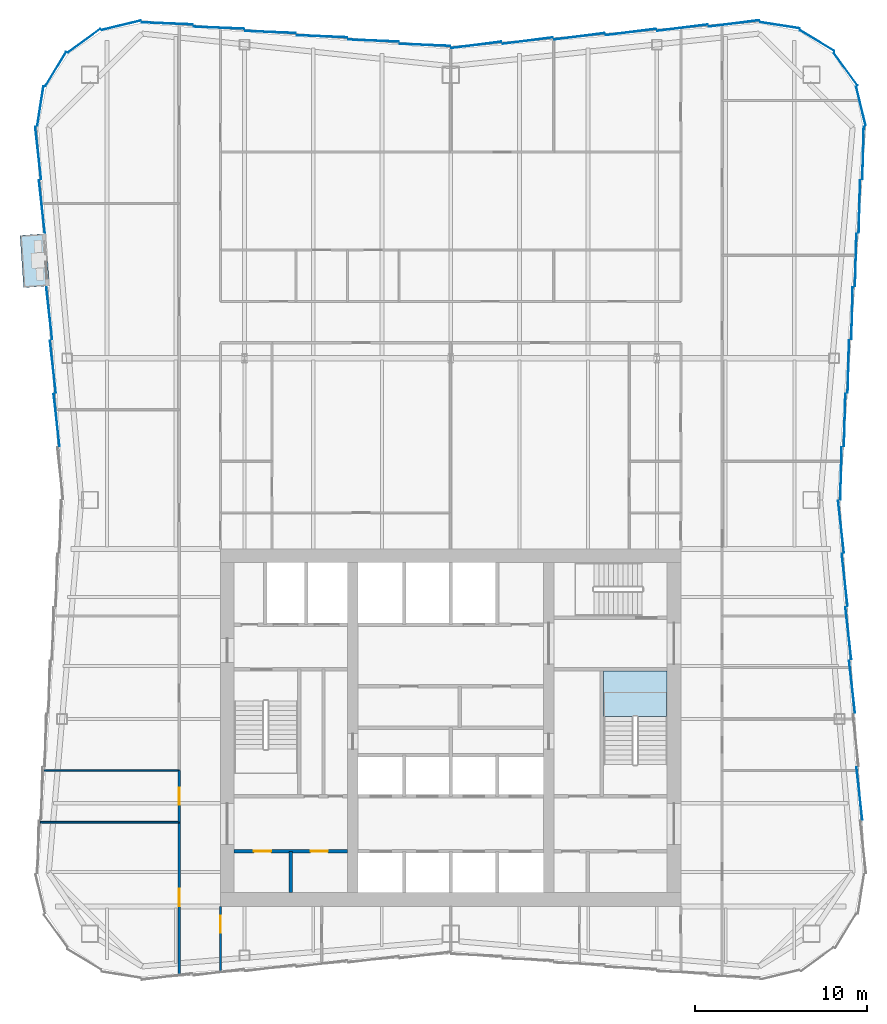
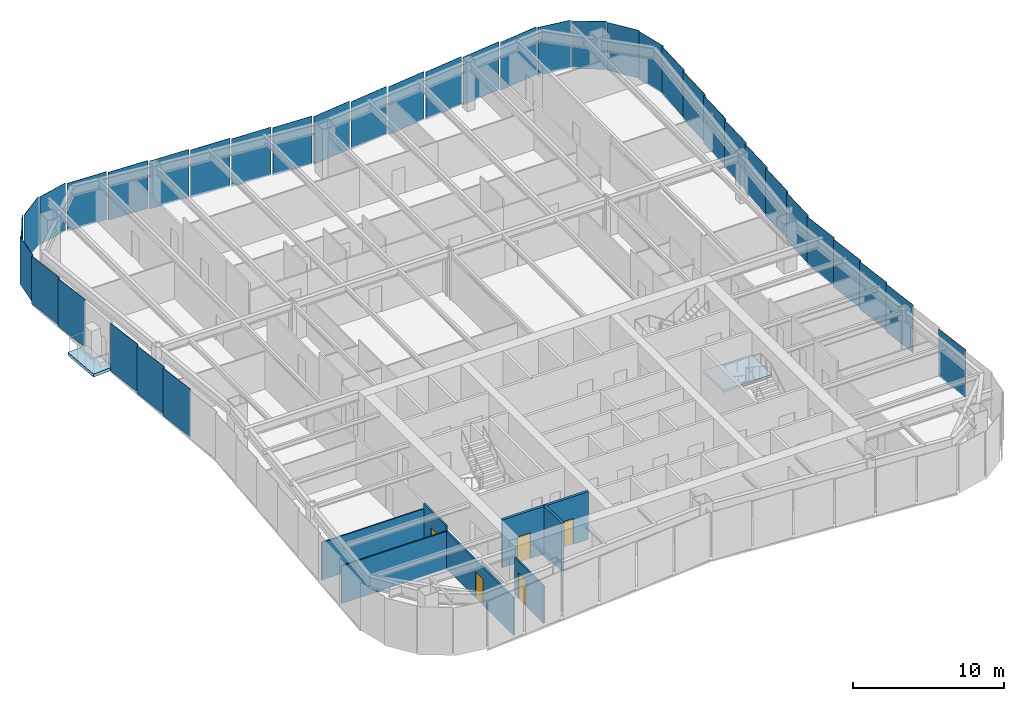
# One storey, part 5 of 12: 37 plates, 7 walls, 5 doors, 2 slabs, 5 openings, 6 elements without a shape of their own.
"""IFC4 building model written with IfcOpenShell, lengths in metres."""

from ifc_helpers import new_model, si_unit, direction, frame, frame_2d, origin, origin_2d, place, context, subcontext, project, spatial, polyline, rectangle, outline, extrude, material, layer, layer_set, type_object, element, fill, aggregate, save


model = new_model("IFC4")

# Units and contexts
model_context = context("Model", 3, precision=1e-05, world=origin(), true_north=direction((0.0, 1.0)))
body_context = subcontext(model_context, "Body", "Model", "MODEL_VIEW")
ifc_project = project(units=[si_unit("LENGTHUNIT", "METRE"), si_unit("AREAUNIT", "SQUARE_METRE"), si_unit("VOLUMEUNIT", "CUBIC_METRE"), si_unit("PLANEANGLEUNIT", "RADIAN"), si_unit("MASSUNIT", "GRAM", prefix="KILO")], contexts=[model_context])

# Site, building, storey
site_placement = place(None, origin())
site = spatial("IfcSite", under=ifc_project, at=site_placement, CompositionType="ELEMENT")
building_placement = place(site_placement, origin())
building = spatial("IfcBuilding", under=site, at=building_placement, Name="Verdant Reach Tower", CompositionType="ELEMENT")
storey_placement = place(building_placement, frame((0.0, 0.0, 246.0)))
storey = spatial("IfcBuildingStorey", under=building, at=storey_placement, Name="L56", CompositionType="ELEMENT", Elevation=246.0)

# Stair, slab
ifc_material_1 = material(Name="Concrete C40/50", Category="concrete")
stair_type = type_object("IfcStairType", Name="CO-STAIR", PredefinedType="HALF_TURN_STAIR", material=ifc_material_1)
stair_placement = place(storey_placement, origin())
stair = element("IfcStair", 1, at=stair_placement, inside=storey, type_object=stair_type, Name="L56 Exit stair 2", PredefinedType="HALF_TURN_STAIR")
ifc_layer_1 = layer(ifc_material_1, 0.199951171875)
ifc_layer_set_1 = layer_set([ifc_layer_1], Name="CO-STAIR-LANDING")
slab_type_1 = type_object("IfcSlabType", Name="CO-STAIR-LANDING", PredefinedType="LANDING", material=ifc_layer_set_1)
slab_1_placement = place(storey_placement, frame((0.0, 0.0, 1.800048828125)))
slab_1 = element("IfcSlab", 2, at=slab_1_placement, type_object=slab_type_1, Name="ST-2 landing 1", PredefinedType="LANDING", context=body_context, shape_type="SweptSolid", body=[
    extrude(outline(polyline([(12.60009765625, 28.64990234375), (12.60009765625, 31.300048828125), (8.89990234375, 31.300048828125), (8.89990234375, 28.64990234375), (12.60009765625, 28.64990234375)])), origin(), (0.0, 0.0, 1.0), 0.199951171875),
])
aggregate(stair, [slab_1])

# Slab
ifc_material_2 = material(Name="Concrete C35/45", Category="concrete")
ifc_layer_2 = layer(ifc_material_2, 0.25)
ifc_layer_set_2 = layer_set([ifc_layer_2], Name="EN-BALCONY SLAB")
slab_type_2 = type_object("IfcSlabType", Name="EN-BALCONY SLAB", PredefinedType="FLOOR", material=ifc_layer_set_2)
slab_2_placement = place(storey_placement, frame((0.0, 0.0, -0.25)))
element("IfcSlab", 3, at=slab_2_placement, inside=storey, type_object=slab_type_2, Name="Balcony slab 1, L56", PredefinedType="FLOOR", context=body_context, shape_type="SweptSolid", body=[
    extrude(outline(polyline([(-23.569091796875, 56.751708984375), (-23.359375, 53.71240234375), (-24.85595703125, 53.609375), (-25.0654296875, 56.648681640625), (-23.569091796875, 56.751708984375)])), origin(), (0.0, 0.0, 1.0), 0.25),
])

# Curtain wall, plates
ifc_material_3 = material(Name="Anodised aluminium", Category="aluminium")
curtain_wall_type = type_object("IfcCurtainWallType", Name="EN-CW SYSTEM Z4", PredefinedType="NOTDEFINED", material=ifc_material_3)
curtain_wall_1_placement = place(storey_placement, origin())
curtain_wall_1 = element("IfcCurtainWall", 4, at=curtain_wall_1_placement, inside=storey, type_object=curtain_wall_type, Name="Curtain wall east, L56", PredefinedType="NOTDEFINED")
ifc_material_4 = material(Name="Tinted glass with champagne spandrel", Category="glass")
ifc_layer_3 = layer(ifc_material_4, 0.031982421875)
ifc_layer_set_3 = layer_set([ifc_layer_3], Name="EN-PANEL CHAMPAGNE")
plate_type_1 = type_object("IfcPlateType", Name="EN-PANEL CHAMPAGNE", PredefinedType="CURTAIN_PANEL", material=ifc_layer_set_3)
plate_1_placement = place(storey_placement, frame((23.36181640625, 30.3828125, -0.221923828125), z_axis=(0.0, 0.0, 1.0), x_axis=(-0.110518162674, 0.993874104562, 0.0)))
plate_1 = element("IfcPlate", 5, at=plate_1_placement, type_object=plate_type_1, Name="Glass panel east face part 1 4.1, L56", PredefinedType="CURTAIN_PANEL", context=body_context, shape_type="SweptSolid", body=[
    extrude(rectangle(XDim=3.050537109375, YDim=0.031982421875, at=origin_2d()), origin(), (0.0, 0.0, 1.0), 3.8720703125),
])
plate_2_placement = place(storey_placement, frame((23.1474609375, 33.48974609375, -0.221923828125), z_axis=(0.0, 0.0, 1.0), x_axis=(-0.110518162674, 0.993874104562, 0.0)))
plate_2 = element("IfcPlate", 6, at=plate_2_placement, type_object=plate_type_1, Name="Glass panel east face part 1 5.1, L56", PredefinedType="CURTAIN_PANEL", context=body_context, shape_type="SweptSolid", body=[
    extrude(rectangle(XDim=3.050537109375, YDim=0.031982421875, at=origin_2d()), origin(), (0.0, 0.0, 1.0), 3.8720703125),
])
plate_3_placement = place(storey_placement, frame((23.575927734375, 55.224365234375, -0.221923828125), z_axis=(0.0, 0.0, 1.0), x_axis=(0.026965318308, 0.999636369691, 0.0)))
plate_3 = element("IfcPlate", 7, at=plate_3_placement, type_object=plate_type_1, Name="Glass panel east face part 2 5.1, L56", PredefinedType="CURTAIN_PANEL", context=body_context, shape_type="SweptSolid", body=[
    extrude(rectangle(XDim=3.050537109375, YDim=0.031982421875, at=origin_2d()), origin(), (0.0, 0.0, 1.0), 3.8720703125),
])
plate_4_placement = place(storey_placement, frame((23.790283203125, 58.33154296875, -0.221923828125), z_axis=(0.0, 0.0, 1.0), x_axis=(0.026965318308, 0.999636369691, 0.0)))
plate_4 = element("IfcPlate", 8, at=plate_4_placement, type_object=plate_type_1, Name="Glass panel east face part 2 6.1, L56", PredefinedType="CURTAIN_PANEL", context=body_context, shape_type="SweptSolid", body=[
    extrude(rectangle(XDim=3.050537109375, YDim=0.031982421875, at=origin_2d()), origin(), (0.0, 0.0, 1.0), 3.8720703125),
])

curtain_wall_2_placement = place(storey_placement, origin())
curtain_wall_2 = element("IfcCurtainWall", 9, at=curtain_wall_2_placement, inside=storey, type_object=curtain_wall_type, Name="Curtain wall north-east corner, L56", PredefinedType="NOTDEFINED")
plate_5_placement = place(storey_placement, frame((21.330322265625, 67.984375, -0.221923828125), z_axis=(0.0, 0.0, 1.0), x_axis=(-0.853988708265, 0.520291539577, 0.0)))
plate_5 = element("IfcPlate", 10, at=plate_5_placement, type_object=plate_type_1, Name="Glass panel north-east corner 3.1, L56", PredefinedType="CURTAIN_PANEL", context=body_context, shape_type="SweptSolid", body=[
    extrude(rectangle(XDim=2.32080078125, YDim=0.031982421875, at=origin_2d()), origin(), (0.0, 0.0, 1.0), 3.8720703125),
])
plate_6_placement = place(storey_placement, frame((19.172607421875, 68.87939453125, -0.221923828125), z_axis=(0.0, 0.0, 1.0), x_axis=(-0.98802725693, 0.154279420415, 0.0)))
plate_6 = element("IfcPlate", 11, at=plate_6_placement, type_object=plate_type_1, Name="Glass panel north-east corner 4.1, L56", PredefinedType="CURTAIN_PANEL", context=body_context, shape_type="SweptSolid", body=[
    extrude(rectangle(XDim=2.314453125, YDim=0.031982421875, at=origin_2d()), origin(), (0.0, 0.0, 1.0), 3.8720703125),
])

curtain_wall_3_placement = place(storey_placement, origin())
curtain_wall_3 = element("IfcCurtainWall", 12, at=curtain_wall_3_placement, inside=storey, type_object=curtain_wall_type, Name="Curtain wall north, L56", PredefinedType="NOTDEFINED")
plate_7_placement = place(storey_placement, frame((16.49853515625, 68.98681640625, -0.221923828125), z_axis=(0.0, 0.0, 1.0), x_axis=(-0.992238962139, -0.124345655383, 0.0)))
plate_7 = element("IfcPlate", 13, at=plate_7_placement, type_object=plate_type_1, Name="Glass panel north face part 1 1.1, L56", PredefinedType="CURTAIN_PANEL", context=body_context, shape_type="SweptSolid", body=[
    extrude(rectangle(XDim=2.9619140625, YDim=0.031982421875, at=origin_2d()), origin(), (0.0, 0.0, 1.0), 3.8720703125),
])
plate_8_placement = place(storey_placement, frame((13.49072265625, 68.736572265625, -0.221923828125), z_axis=(0.0, 0.0, 1.0), x_axis=(-0.992194034542, -0.124703639961, 0.0)))
plate_8 = element("IfcPlate", 14, at=plate_8_placement, type_object=plate_type_1, Name="Glass panel north face part 1 2.1, L56", PredefinedType="CURTAIN_PANEL", context=body_context, shape_type="SweptSolid", body=[
    extrude(rectangle(XDim=2.9462890625, YDim=0.031982421875, at=origin_2d()), origin(), (0.0, 0.0, 1.0), 3.8720703125),
])
plate_9_placement = place(storey_placement, frame((10.49072265625, 68.486572265625, -0.221923828125), z_axis=(0.0, 0.0, 1.0), x_axis=(-0.992194034542, -0.124703639961, 0.0)))
plate_9 = element("IfcPlate", 15, at=plate_9_placement, type_object=plate_type_1, Name="Glass panel north face part 1 3.1, L56", PredefinedType="CURTAIN_PANEL", context=body_context, shape_type="SweptSolid", body=[
    extrude(rectangle(XDim=2.9462890625, YDim=0.031982421875, at=origin_2d()), origin(), (0.0, 0.0, 1.0), 3.8720703125),
])
plate_10_placement = place(storey_placement, frame((-7.49072265625, 68.236572265625, -0.221923828125), z_axis=(0.0, 0.0, 1.0), x_axis=(-0.999149202059, 0.041241629766, 0.0)))
plate_10 = element("IfcPlate", 16, at=plate_10_placement, type_object=plate_type_1, Name="Glass panel north face part 2 3.1, L56", PredefinedType="CURTAIN_PANEL", context=body_context, shape_type="SweptSolid", body=[
    extrude(rectangle(XDim=2.9462890625, YDim=0.031982421875, at=origin_2d()), origin(), (0.0, 0.0, 1.0), 3.8720703125),
])
plate_11_placement = place(storey_placement, frame((-10.49072265625, 68.486572265625, -0.221923828125), z_axis=(0.0, 0.0, 1.0), x_axis=(-0.999149202059, 0.041241629766, 0.0)))
plate_11 = element("IfcPlate", 17, at=plate_11_placement, type_object=plate_type_1, Name="Glass panel north face part 2 4.1, L56", PredefinedType="CURTAIN_PANEL", context=body_context, shape_type="SweptSolid", body=[
    extrude(rectangle(XDim=2.9462890625, YDim=0.031982421875, at=origin_2d()), origin(), (0.0, 0.0, 1.0), 3.8720703125),
])

curtain_wall_4_placement = place(storey_placement, origin())
curtain_wall_4 = element("IfcCurtainWall", 18, at=curtain_wall_4_placement, inside=storey, type_object=curtain_wall_type, Name="Curtain wall north-west corner, L56", PredefinedType="NOTDEFINED")
plate_12_placement = place(storey_placement, frame((-19.172607421875, 68.87939453125, -0.221923828125), z_axis=(0.0, 0.0, 1.0), x_axis=(-0.971652337104, -0.236414330786, 0.0)))
plate_12 = element("IfcPlate", 19, at=plate_12_placement, type_object=plate_type_1, Name="Glass panel north-west corner 1.1, L56", PredefinedType="CURTAIN_PANEL", context=body_context, shape_type="SweptSolid", body=[
    extrude(rectangle(XDim=2.314453125, YDim=0.031982421875, at=origin_2d()), origin(), (0.0, 0.0, 1.0), 3.8720703125),
])
plate_13_placement = place(storey_placement, frame((-21.330322265625, 67.984375, -0.221923828125), z_axis=(0.0, 0.0, 1.0), x_axis=(-0.80745677573, -0.589926737254, 0.0)))
plate_13 = element("IfcPlate", 20, at=plate_13_placement, type_object=plate_type_1, Name="Glass panel north-west corner 2.1, L56", PredefinedType="CURTAIN_PANEL", context=body_context, shape_type="SweptSolid", body=[
    extrude(rectangle(XDim=2.32080078125, YDim=0.031982421875, at=origin_2d()), origin(), (0.0, 0.0, 1.0), 3.8720703125),
])
plate_14_placement = place(storey_placement, frame((-22.984375, 66.330322265625, -0.221923828125), z_axis=(0.0, 0.0, 1.0), x_axis=(-0.520291539577, -0.853988708265, 0.0)))
plate_14 = element("IfcPlate", 21, at=plate_14_placement, type_object=plate_type_1, Name="Glass panel north-west corner 3.1, L56", PredefinedType="CURTAIN_PANEL", context=body_context, shape_type="SweptSolid", body=[
    extrude(rectangle(XDim=2.32080078125, YDim=0.031982421875, at=origin_2d()), origin(), (0.0, 0.0, 1.0), 3.8720703125),
])

# Curtain wall, plate
curtain_wall_5_placement = place(storey_placement, origin())
curtain_wall_5 = element("IfcCurtainWall", 22, at=curtain_wall_5_placement, inside=storey, type_object=curtain_wall_type, Name="Curtain wall west, L56", PredefinedType="NOTDEFINED")
plate_15_placement = place(storey_placement, frame((-24.004638671875, 61.446044921875, -0.221923828125), z_axis=(0.0, 0.0, 1.0), x_axis=(0.110205903836, -0.993908777886, 0.0)))
plate_15 = element("IfcPlate", 23, at=plate_15_placement, type_object=plate_type_1, Name="Glass panel west face part 1 1.1, L56", PredefinedType="CURTAIN_PANEL", context=body_context, shape_type="SweptSolid", body=[
    extrude(rectangle(XDim=3.0654296875, YDim=0.031982421875, at=origin_2d()), origin(), (0.0, 0.0, 1.0), 3.8720703125),
])

# Plate
ifc_material_5 = material(Name="Tinted glass with copper spandrel", Category="glass")
ifc_layer_4 = layer(ifc_material_5, 0.031982421875)
ifc_layer_set_4 = layer_set([ifc_layer_4], Name="EN-PANEL COPPER")
plate_type_2 = type_object("IfcPlateType", Name="EN-PANEL COPPER", PredefinedType="CURTAIN_PANEL", material=ifc_layer_set_4)
plate_16_placement = place(storey_placement, frame((22.93310546875, 36.596923828125, -0.221923828125), z_axis=(0.0, 0.0, 1.0), x_axis=(-0.110518162674, 0.993874104562, 0.0)))
plate_16 = element("IfcPlate", 24, at=plate_16_placement, type_object=plate_type_2, Name="Glass panel east face part 1 6.1, L56", PredefinedType="CURTAIN_PANEL", context=body_context, shape_type="SweptSolid", body=[
    extrude(rectangle(XDim=3.050537109375, YDim=0.031982421875, at=origin_2d()), origin(), (0.0, 0.0, 1.0), 3.8720703125),
])

plate_17_placement = place(storey_placement, frame((22.718994140625, 39.7001953125, -0.221923828125), z_axis=(0.0, 0.0, 1.0), x_axis=(-0.110603065042, 0.993864659802, 0.0)))
plate_17 = element("IfcPlate", 25, at=plate_17_placement, type_object=plate_type_2, Name="Glass panel east face part 1 7.1, L56", PredefinedType="CURTAIN_PANEL", context=body_context, shape_type="SweptSolid", body=[
    extrude(rectangle(XDim=3.042724609375, YDim=0.031982421875, at=origin_2d()), origin(), (0.0, 0.0, 1.0), 3.8720703125),
])

plate_18_placement = place(storey_placement, frame((22.718994140625, 42.7998046875, -0.221923828125), z_axis=(0.0, 0.0, 1.0), x_axis=(0.027050713229, 0.999634062502, 0.0)))
plate_18 = element("IfcPlate", 26, at=plate_18_placement, type_object=plate_type_2, Name="Glass panel east face part 2 1.1, L56", PredefinedType="CURTAIN_PANEL", context=body_context, shape_type="SweptSolid", body=[
    extrude(rectangle(XDim=3.042724609375, YDim=0.031982421875, at=origin_2d()), origin(), (0.0, 0.0, 1.0), 3.8720703125),
])

plate_19_placement = place(storey_placement, frame((24.004638671875, 61.446044921875, -0.221923828125), z_axis=(0.0, 0.0, 1.0), x_axis=(0.026651253217, 0.999644792265, 0.0)))
plate_19 = element("IfcPlate", 27, at=plate_19_placement, type_object=plate_type_2, Name="Glass panel east face part 2 7.1, L56", PredefinedType="CURTAIN_PANEL", context=body_context, shape_type="SweptSolid", body=[
    extrude(rectangle(XDim=3.0654296875, YDim=0.031982421875, at=origin_2d()), origin(), (0.0, 0.0, 1.0), 3.8720703125),
])

plate_20_placement = place(storey_placement, frame((7.49072265625, 68.236572265625, -0.221923828125), z_axis=(0.0, 0.0, 1.0), x_axis=(-0.992194034542, -0.124703639961, 0.0)))
plate_20 = element("IfcPlate", 28, at=plate_20_placement, type_object=plate_type_2, Name="Glass panel north face part 1 4.1, L56", PredefinedType="CURTAIN_PANEL", context=body_context, shape_type="SweptSolid", body=[
    extrude(rectangle(XDim=2.9462890625, YDim=0.031982421875, at=origin_2d()), origin(), (0.0, 0.0, 1.0), 3.8720703125),
])

plate_21_placement = place(storey_placement, frame((4.49072265625, 67.986572265625, -0.221923828125), z_axis=(0.0, 0.0, 1.0), x_axis=(-0.992194034542, -0.124703639961, 0.0)))
plate_21 = element("IfcPlate", 29, at=plate_21_placement, type_object=plate_type_2, Name="Glass panel north face part 1 5.1, L56", PredefinedType="CURTAIN_PANEL", context=body_context, shape_type="SweptSolid", body=[
    extrude(rectangle(XDim=2.9462890625, YDim=0.031982421875, at=origin_2d()), origin(), (0.0, 0.0, 1.0), 3.8720703125),
])

plate_22_placement = place(storey_placement, frame((-13.49072265625, 68.736572265625, -0.221923828125), z_axis=(0.0, 0.0, 1.0), x_axis=(-0.999149202059, 0.041241629766, 0.0)))
plate_22 = element("IfcPlate", 30, at=plate_22_placement, type_object=plate_type_2, Name="Glass panel north face part 2 5.1, L56", PredefinedType="CURTAIN_PANEL", context=body_context, shape_type="SweptSolid", body=[
    extrude(rectangle(XDim=2.9462890625, YDim=0.031982421875, at=origin_2d()), origin(), (0.0, 0.0, 1.0), 3.8720703125),
])

plate_23_placement = place(storey_placement, frame((-16.49853515625, 68.98681640625, -0.221923828125), z_axis=(0.0, 0.0, 1.0), x_axis=(-0.999164016711, 0.040881141246, 0.0)))
plate_23 = element("IfcPlate", 31, at=plate_23_placement, type_object=plate_type_2, Name="Glass panel north face part 2 6.1, L56", PredefinedType="CURTAIN_PANEL", context=body_context, shape_type="SweptSolid", body=[
    extrude(rectangle(XDim=2.9619140625, YDim=0.031982421875, at=origin_2d()), origin(), (0.0, 0.0, 1.0), 3.8720703125),
])

plate_24_placement = place(storey_placement, frame((-23.87939453125, 64.173095703125, -0.221923828125), z_axis=(0.0, 0.0, 1.0), x_axis=(-0.154324690427, -0.988020187003, 0.0)))
plate_24 = element("IfcPlate", 32, at=plate_24_placement, type_object=plate_type_2, Name="Glass panel north-west corner 4.1, L56", PredefinedType="CURTAIN_PANEL", context=body_context, shape_type="SweptSolid", body=[
    extrude(rectangle(XDim=2.313720703125, YDim=0.031982421875, at=origin_2d()), origin(), (0.0, 0.0, 1.0), 3.8720703125),
])

aggregate(curtain_wall_4, [plate_12, plate_13, plate_14, plate_24])

plate_25_placement = place(storey_placement, frame((-23.790283203125, 58.33154296875, -0.221923828125), z_axis=(0.0, 0.0, 1.0), x_axis=(0.110518162674, -0.993874104562, 0.0)))
plate_25 = element("IfcPlate", 33, at=plate_25_placement, type_object=plate_type_2, Name="Glass panel west face part 1 2.1, L56", PredefinedType="CURTAIN_PANEL", context=body_context, shape_type="SweptSolid", body=[
    extrude(rectangle(XDim=3.050537109375, YDim=0.031982421875, at=origin_2d()), origin(), (0.0, 0.0, 1.0), 3.8720703125),
])

plate_26_placement = place(storey_placement, frame((-23.36181640625, 52.1171875, -0.221923828125), z_axis=(0.0, 0.0, 1.0), x_axis=(0.110518162674, -0.993874104562, 0.0)))
plate_26 = element("IfcPlate", 34, at=plate_26_placement, type_object=plate_type_2, Name="Glass panel west face part 1 4.1, L56", PredefinedType="CURTAIN_PANEL", context=body_context, shape_type="SweptSolid", body=[
    extrude(rectangle(XDim=3.050537109375, YDim=0.031982421875, at=origin_2d()), origin(), (0.0, 0.0, 1.0), 3.8720703125),
])

ifc_material_6 = material(Name="Tinted glass with dark bronze spandrel", Category="glass")
ifc_layer_5 = layer(ifc_material_6, 0.031982421875)
ifc_layer_set_5 = layer_set([ifc_layer_5], Name="EN-PANEL DARK")
plate_type_3 = type_object("IfcPlateType", Name="EN-PANEL DARK", PredefinedType="CURTAIN_PANEL", material=ifc_layer_set_5)
plate_27_placement = place(storey_placement, frame((23.790283203125, 24.16845703125, -0.221923828125), z_axis=(0.0, 0.0, 1.0), x_axis=(-0.110518162674, 0.993874104562, 0.0)))
plate_27 = element("IfcPlate", 35, at=plate_27_placement, type_object=plate_type_3, Name="Glass panel east face part 1 2.1, L56", PredefinedType="CURTAIN_PANEL", context=body_context, shape_type="SweptSolid", body=[
    extrude(rectangle(XDim=3.050537109375, YDim=0.031982421875, at=origin_2d()), origin(), (0.0, 0.0, 1.0), 3.8720703125),
])

plate_28_placement = place(storey_placement, frame((22.93310546875, 45.903076171875, -0.221923828125), z_axis=(0.0, 0.0, 1.0), x_axis=(0.026965318308, 0.999636369691, 0.0)))
plate_28 = element("IfcPlate", 36, at=plate_28_placement, type_object=plate_type_3, Name="Glass panel east face part 2 2.1, L56", PredefinedType="CURTAIN_PANEL", context=body_context, shape_type="SweptSolid", body=[
    extrude(rectangle(XDim=3.050537109375, YDim=0.031982421875, at=origin_2d()), origin(), (0.0, 0.0, 1.0), 3.8720703125),
])

plate_29_placement = place(storey_placement, frame((23.1474609375, 49.01025390625, -0.221923828125), z_axis=(0.0, 0.0, 1.0), x_axis=(0.026965318308, 0.999636369691, 0.0)))
plate_29 = element("IfcPlate", 37, at=plate_29_placement, type_object=plate_type_3, Name="Glass panel east face part 2 3.1, L56", PredefinedType="CURTAIN_PANEL", context=body_context, shape_type="SweptSolid", body=[
    extrude(rectangle(XDim=3.050537109375, YDim=0.031982421875, at=origin_2d()), origin(), (0.0, 0.0, 1.0), 3.8720703125),
])

plate_30_placement = place(storey_placement, frame((23.36181640625, 52.1171875, -0.221923828125), z_axis=(0.0, 0.0, 1.0), x_axis=(0.026965318308, 0.999636369691, 0.0)))
plate_30 = element("IfcPlate", 38, at=plate_30_placement, type_object=plate_type_3, Name="Glass panel east face part 2 4.1, L56", PredefinedType="CURTAIN_PANEL", context=body_context, shape_type="SweptSolid", body=[
    extrude(rectangle(XDim=3.050537109375, YDim=0.031982421875, at=origin_2d()), origin(), (0.0, 0.0, 1.0), 3.8720703125),
])

aggregate(curtain_wall_1, [plate_27, plate_1, plate_2, plate_16, plate_17, plate_18, plate_28, plate_29, plate_30, plate_3, plate_4, plate_19])

plate_31_placement = place(storey_placement, frame((23.87939453125, 64.173095703125, -0.221923828125), z_axis=(0.0, 0.0, 1.0), x_axis=(-0.236458850433, 0.971641503875, 0.0)))
plate_31 = element("IfcPlate", 39, at=plate_31_placement, type_object=plate_type_3, Name="Glass panel north-east corner 1.1, L56", PredefinedType="CURTAIN_PANEL", context=body_context, shape_type="SweptSolid", body=[
    extrude(rectangle(XDim=2.313720703125, YDim=0.031982421875, at=origin_2d()), origin(), (0.0, 0.0, 1.0), 3.8720703125),
])

plate_32_placement = place(storey_placement, frame((22.984375, 66.330322265625, -0.221923828125), z_axis=(0.0, 0.0, 1.0), x_axis=(-0.589926737254, 0.80745677573, 0.0)))
plate_32 = element("IfcPlate", 40, at=plate_32_placement, type_object=plate_type_3, Name="Glass panel north-east corner 2.1, L56", PredefinedType="CURTAIN_PANEL", context=body_context, shape_type="SweptSolid", body=[
    extrude(rectangle(XDim=2.32080078125, YDim=0.031982421875, at=origin_2d()), origin(), (0.0, 0.0, 1.0), 3.8720703125),
])

aggregate(curtain_wall_2, [plate_31, plate_32, plate_5, plate_6])

plate_33_placement = place(storey_placement, frame((1.495361328125, 67.73681640625, -0.221923828125), z_axis=(0.0, 0.0, 1.0), x_axis=(-0.992177950603, -0.124831543836, 0.0)))
plate_33 = element("IfcPlate", 41, at=plate_33_placement, type_object=plate_type_3, Name="Glass panel north face part 1 6.1, L56", PredefinedType="CURTAIN_PANEL", context=body_context, shape_type="SweptSolid", body=[
    extrude(rectangle(XDim=2.93701171875, YDim=0.031982421875, at=origin_2d()), origin(), (0.0, 0.0, 1.0), 3.8720703125),
])

plate_34_placement = place(storey_placement, frame((-1.495361328125, 67.73681640625, -0.221923828125), z_axis=(0.0, 0.0, 1.0), x_axis=(-0.999143877249, 0.041370430933, 0.0)))
plate_34 = element("IfcPlate", 42, at=plate_34_placement, type_object=plate_type_3, Name="Glass panel north face part 2 1.1, L56", PredefinedType="CURTAIN_PANEL", context=body_context, shape_type="SweptSolid", body=[
    extrude(rectangle(XDim=2.93701171875, YDim=0.031982421875, at=origin_2d()), origin(), (0.0, 0.0, 1.0), 3.8720703125),
])

plate_35_placement = place(storey_placement, frame((-4.49072265625, 67.986572265625, -0.221923828125), z_axis=(0.0, 0.0, 1.0), x_axis=(-0.999149202059, 0.041241629766, 0.0)))
plate_35 = element("IfcPlate", 43, at=plate_35_placement, type_object=plate_type_3, Name="Glass panel north face part 2 2.1, L56", PredefinedType="CURTAIN_PANEL", context=body_context, shape_type="SweptSolid", body=[
    extrude(rectangle(XDim=2.9462890625, YDim=0.031982421875, at=origin_2d()), origin(), (0.0, 0.0, 1.0), 3.8720703125),
])

aggregate(curtain_wall_3, [plate_7, plate_8, plate_9, plate_20, plate_21, plate_33, plate_34, plate_35, plate_10, plate_11, plate_22, plate_23])

plate_36_placement = place(storey_placement, frame((-23.1474609375, 49.01025390625, -0.221923828125), z_axis=(0.0, 0.0, 1.0), x_axis=(0.110518162674, -0.993874104562, 0.0)))
plate_36 = element("IfcPlate", 44, at=plate_36_placement, type_object=plate_type_3, Name="Glass panel west face part 1 5.1, L56", PredefinedType="CURTAIN_PANEL", context=body_context, shape_type="SweptSolid", body=[
    extrude(rectangle(XDim=3.050537109375, YDim=0.031982421875, at=origin_2d()), origin(), (0.0, 0.0, 1.0), 3.8720703125),
])

plate_37_placement = place(storey_placement, frame((-22.93310546875, 45.903076171875, -0.221923828125), z_axis=(0.0, 0.0, 1.0), x_axis=(0.110518162674, -0.993874104562, 0.0)))
plate_37 = element("IfcPlate", 45, at=plate_37_placement, type_object=plate_type_3, Name="Glass panel west face part 1 6.1, L56", PredefinedType="CURTAIN_PANEL", context=body_context, shape_type="SweptSolid", body=[
    extrude(rectangle(XDim=3.050537109375, YDim=0.031982421875, at=origin_2d()), origin(), (0.0, 0.0, 1.0), 3.8720703125),
])

aggregate(curtain_wall_5, [plate_15, plate_25, plate_26, plate_36, plate_37])

# Wall, openings, doors
ifc_material_7 = material(Name="Gypsum board on steel studs", Category="steel")
ifc_layer_6 = layer(ifc_material_7, 0.199951171875)
ifc_layer_set_6 = layer_set([ifc_layer_6], Name="CO-WALL-ROOM")
wall_type_1 = type_object("IfcWallType", Name="CO-WALL-ROOM", PredefinedType="PARTITIONING", material=ifc_layer_set_6)
wall_1_placement = place(storey_placement, frame((-12.60009765625, 20.800048828125, 0.0), z_axis=(0.0, 0.0, 1.0), x_axis=(1.0, 0.0, 0.0)))
wall_1 = element("IfcWall", 46, at=wall_1_placement, inside=storey, type_object=wall_type_1, Name="Core partition, L56", PredefinedType="PARTITIONING", context=body_context, shape_type="SweptSolid", body=[
    extrude(rectangle(XDim=6.60009765625, YDim=0.199951171875, at=frame_2d((3.300048828125, 0.0))), origin(), (0.0, 0.0, 1.0), 3.8701171875),
])
opening_1_placement = place(wall_1_placement, frame((1.14990234375, 0.0, 0.0)))
opening_1 = element("IfcOpeningElement", 47, at=opening_1_placement, cuts=wall_1, Name="Opening CD", PredefinedType="OPENING", context=body_context, shape_type="SweptSolid", body=[
    extrude(rectangle(XDim=1.0, YDim=2.10009765625, at=frame_2d((0.5, 1.050048828125))), frame((0.0, 0.10986328125, 0.0), z_axis=(0.0, -1.0, 0.0), x_axis=(1.0, 0.0, 0.0)), (0.0, 0.0, 1.0), 0.219970703125),
])
opening_2_placement = place(wall_1_placement, frame((4.449951171875, 0.0, 0.0)))
opening_2 = element("IfcOpeningElement", 48, at=opening_2_placement, cuts=wall_1, Name="Opening CD", PredefinedType="OPENING", context=body_context, shape_type="SweptSolid", body=[
    extrude(rectangle(XDim=1.0, YDim=2.10009765625, at=frame_2d((0.5, 1.050048828125))), frame((0.0, 0.10986328125, 0.0), z_axis=(0.0, -1.0, 0.0), x_axis=(1.0, 0.0, 0.0)), (0.0, 0.0, 1.0), 0.219970703125),
])
ifc_material_8 = material(Name="Timber", Category="wood")
door_type_1 = type_object("IfcDoorType", Name="CO-DOOR-ROOM", OperationType="NOTDEFINED", PredefinedType="DOOR", material=ifc_material_8)
door_1_placement = place(opening_1_placement, origin())
door_1 = element("IfcDoor", 49, at=door_1_placement, inside=storey, type_object=door_type_1, Name="Core room door, L56", OperationType="SINGLE_SWING_LEFT", OverallHeight=2.10009765625, OverallWidth=1.0, PredefinedType="DOOR", context=body_context, shape_type="SweptSolid", body=[
    extrude(rectangle(XDim=1.0, YDim=2.10009765625, at=frame_2d((0.5, 1.050048828125))), frame((0.0, 0.02490234375, 0.0), z_axis=(0.0, -1.0, 0.0), x_axis=(1.0, 0.0, 0.0)), (0.0, 0.0, 1.0), 0.050048828125),
])
fill(opening_1, door_1)
door_2_placement = place(opening_2_placement, origin())
door_2 = element("IfcDoor", 50, at=door_2_placement, inside=storey, type_object=door_type_1, Name="Core room door, L56", OperationType="SINGLE_SWING_LEFT", OverallHeight=2.10009765625, OverallWidth=1.0, PredefinedType="DOOR", context=body_context, shape_type="SweptSolid", body=[
    extrude(rectangle(XDim=1.0, YDim=2.10009765625, at=frame_2d((0.5, 1.050048828125))), frame((0.0, 0.02490234375, 0.0), z_axis=(0.0, -1.0, 0.0), x_axis=(1.0, 0.0, 0.0)), (0.0, 0.0, 1.0), 0.050048828125),
])
fill(opening_2, door_2)

# Walls
wall_2_placement = place(storey_placement, frame((-9.300048828125, 18.39990234375, 0.0), z_axis=(0.0, 0.0, 1.0), x_axis=(0.0, 1.0, 0.0)))
element("IfcWall", 51, at=wall_2_placement, inside=storey, type_object=wall_type_1, Name="Core partition, L56", PredefinedType="PARTITIONING", context=body_context, shape_type="SweptSolid", body=[
    extrude(rectangle(XDim=2.400146484375, YDim=0.199951171875, at=frame_2d((1.2001953125, 0.0))), origin(), (0.0, 0.0, 1.0), 3.8701171875),
])
ifc_layer_7 = layer(ifc_material_7, 0.10009765625)
ifc_layer_set_7 = layer_set([ifc_layer_7], Name="FL-W1 Partition 100")
wall_type_2 = type_object("IfcWallType", Name="FL-W1 Partition 100", PredefinedType="PARTITIONING", material=ifc_layer_set_7)
wall_3_placement = place(storey_placement, frame((-15.800048828125, 22.5, 0.0), z_axis=(0.0, 0.0, 1.0), x_axis=(-1.0, 0.0, 0.0)))
element("IfcWall", 52, at=wall_3_placement, inside=storey, type_object=wall_type_2, Name="Partition 56.38", PredefinedType="PARTITIONING", context=body_context, shape_type="SweptSolid", body=[
    extrude(rectangle(XDim=8.072998046875, YDim=0.10009765625, at=frame_2d((4.03662109375, 0.0))), origin(), (0.0, 0.0, 1.0), 3.0400390625),
])
wall_4_placement = place(storey_placement, frame((-15.800048828125, 25.5, 0.0), z_axis=(0.0, 0.0, 1.0), x_axis=(-1.0, 0.0, 0.0)))
element("IfcWall", 53, at=wall_4_placement, inside=storey, type_object=wall_type_2, Name="Partition 56.39", PredefinedType="PARTITIONING", context=body_context, shape_type="SweptSolid", body=[
    extrude(rectangle(XDim=7.8662109375, YDim=0.10009765625, at=frame_2d((3.93310546875, 0.0))), origin(), (0.0, 0.0, 1.0), 3.0400390625),
])

# Wall, opening, door
ifc_material_9 = material(Name="Gypsum board on steel studs, fire rated", Category="steel")
ifc_layer_8 = layer(ifc_material_9, 0.125)
ifc_layer_set_8 = layer_set([ifc_layer_8], Name="FL-W2 Corridor wall 125")
wall_type_3 = type_object("IfcWallType", Name="FL-W2 Corridor wall 125", PredefinedType="PARTITIONING", material=ifc_layer_set_8)
wall_5_placement = place(storey_placement, frame((-15.800048828125, 13.603271484375, 0.0), z_axis=(0.0, 0.0, 1.0), x_axis=(0.0, 1.0, 0.0)))
wall_5 = element("IfcWall", 54, at=wall_5_placement, inside=storey, type_object=wall_type_3, Name="Partition 56.01", PredefinedType="PARTITIONING", context=body_context, shape_type="SweptSolid", body=[
    extrude(rectangle(XDim=8.896728515625, YDim=0.125, at=frame_2d((4.4482421875, 0.0))), origin(), (0.0, 0.0, 1.0), 3.0400390625),
])
opening_3_placement = place(wall_5_placement, frame((4.013427734375, 0.0, 0.0)))
opening_3 = element("IfcOpeningElement", 55, at=opening_3_placement, cuts=wall_5, Name="Opening D2", PredefinedType="OPENING", context=body_context, shape_type="SweptSolid", body=[
    extrude(rectangle(XDim=1.0, YDim=2.10009765625, at=frame_2d((0.5, 1.050048828125))), frame((0.0, 0.072509765625, 0.0), z_axis=(0.0, -1.0, 0.0), x_axis=(1.0, 0.0, 0.0)), (0.0, 0.0, 1.0), 0.14501953125),
])
ifc_material_10 = material(Name="Timber door leaf, fire rated", Category="wood")
door_type_2 = type_object("IfcDoorType", Name="FL-D2 Entrance door 1000x2100 FD30", OperationType="NOTDEFINED", PredefinedType="DOOR", material=ifc_material_10)
door_3_placement = place(opening_3_placement, origin())
door_3 = element("IfcDoor", 56, at=door_3_placement, inside=storey, type_object=door_type_2, Name="Door 56-001", OperationType="SINGLE_SWING_RIGHT", OverallHeight=2.10009765625, OverallWidth=1.0, PredefinedType="DOOR", context=body_context, shape_type="SweptSolid", body=[
    extrude(rectangle(XDim=1.0, YDim=2.10009765625, at=frame_2d((0.5, 1.050048828125))), frame((0.0, 0.02490234375, 0.0), z_axis=(0.0, -1.0, 0.0), x_axis=(1.0, 0.0, 0.0)), (0.0, 0.0, 1.0), 0.050048828125),
])
fill(opening_3, door_3)

wall_6_placement = place(storey_placement, frame((-15.800048828125, 22.5, 0.0), z_axis=(0.0, 0.0, 1.0), x_axis=(0.0, 1.0, 0.0)))
wall_6 = element("IfcWall", 57, at=wall_6_placement, inside=storey, type_object=wall_type_3, Name="Partition 56.02", PredefinedType="PARTITIONING", context=body_context, shape_type="SweptSolid", body=[
    extrude(rectangle(XDim=3.0, YDim=0.125, at=frame_2d((1.5, 0.0))), origin(), (0.0, 0.0, 1.0), 3.43994140625),
])
opening_4_placement = place(wall_6_placement, frame((1.0, 0.0, 0.0)))
opening_4 = element("IfcOpeningElement", 58, at=opening_4_placement, cuts=wall_6, Name="Opening D2", PredefinedType="OPENING", context=body_context, shape_type="SweptSolid", body=[
    extrude(rectangle(XDim=1.0, YDim=2.10009765625, at=frame_2d((0.5, 1.050048828125))), frame((0.0, 0.072509765625, 0.0), z_axis=(0.0, -1.0, 0.0), x_axis=(1.0, 0.0, 0.0)), (0.0, 0.0, 1.0), 0.14501953125),
])
door_4_placement = place(opening_4_placement, origin())
door_4 = element("IfcDoor", 59, at=door_4_placement, inside=storey, type_object=door_type_2, Name="Door 56-002", OperationType="SINGLE_SWING_RIGHT", OverallHeight=2.10009765625, OverallWidth=1.0, PredefinedType="DOOR", context=body_context, shape_type="SweptSolid", body=[
    extrude(rectangle(XDim=1.0, YDim=2.10009765625, at=frame_2d((0.5, 1.050048828125))), frame((0.0, 0.02490234375, 0.0), z_axis=(0.0, -1.0, 0.0), x_axis=(1.0, 0.0, 0.0)), (0.0, 0.0, 1.0), 0.050048828125),
])
fill(opening_4, door_4)

wall_7_placement = place(storey_placement, frame((-13.39990234375, 17.60009765625, 0.0), z_axis=(0.0, 0.0, 1.0), x_axis=(0.0, -1.0, 0.0)))
wall_7 = element("IfcWall", 60, at=wall_7_placement, inside=storey, type_object=wall_type_3, Name="Partition 56.15", PredefinedType="PARTITIONING", context=body_context, shape_type="SweptSolid", body=[
    extrude(rectangle(XDim=3.796875, YDim=0.125, at=frame_2d((1.8984375, 0.0))), origin(), (0.0, 0.0, 1.0), 3.0400390625),
])
opening_5_placement = place(wall_7_placement, frame((0.533203125, 0.0, 0.0)))
opening_5 = element("IfcOpeningElement", 61, at=opening_5_placement, cuts=wall_7, Name="Opening D2", PredefinedType="OPENING", context=body_context, shape_type="SweptSolid", body=[
    extrude(rectangle(XDim=1.0, YDim=2.10009765625, at=frame_2d((0.5, 1.050048828125))), frame((0.0, 0.072509765625, 0.0), z_axis=(0.0, -1.0, 0.0), x_axis=(1.0, 0.0, 0.0)), (0.0, 0.0, 1.0), 0.14501953125),
])
door_5_placement = place(opening_5_placement, origin())
door_5 = element("IfcDoor", 62, at=door_5_placement, inside=storey, type_object=door_type_2, Name="Door 56-015", OperationType="SINGLE_SWING_LEFT", OverallHeight=2.10009765625, OverallWidth=1.0, PredefinedType="DOOR", context=body_context, shape_type="SweptSolid", body=[
    extrude(rectangle(XDim=1.0, YDim=2.10009765625, at=frame_2d((0.5, 1.050048828125))), frame((0.0, 0.02490234375, 0.0), z_axis=(0.0, -1.0, 0.0), x_axis=(1.0, 0.0, 0.0)), (0.0, 0.0, 1.0), 0.050048828125),
])
fill(opening_5, door_5)

save(model, "model.ifc")
